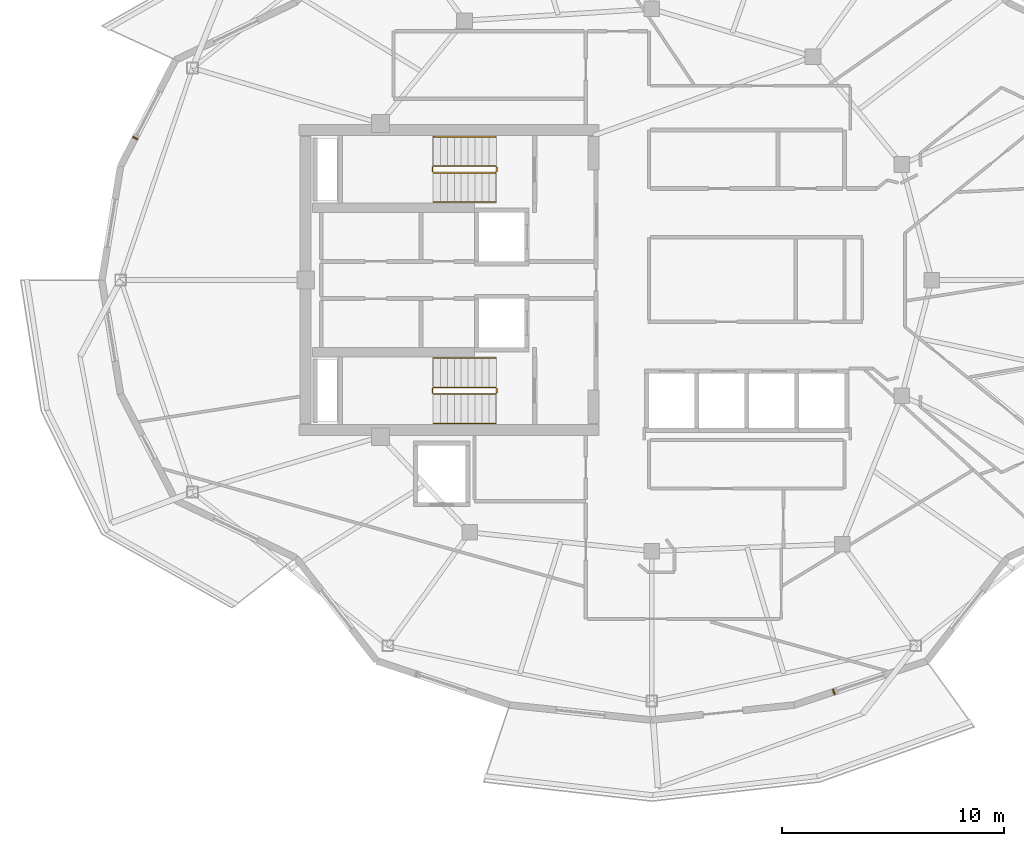
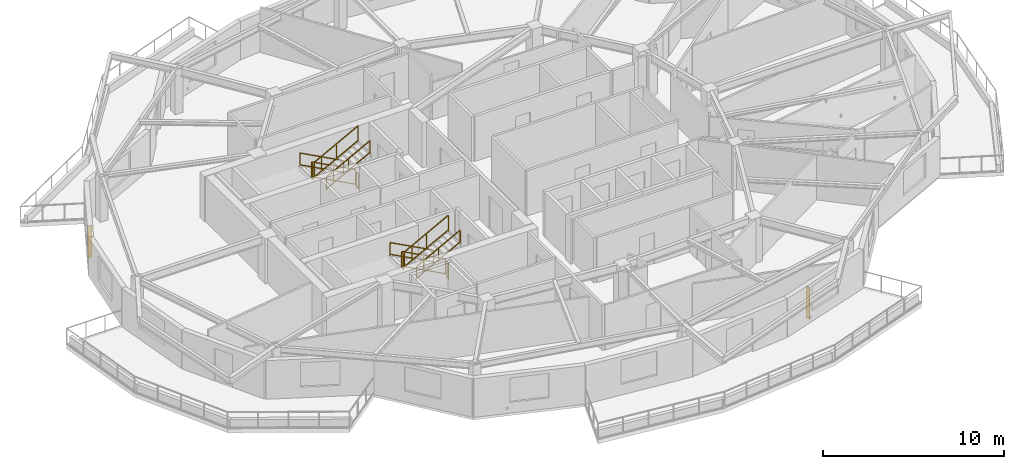
# One storey, part 12 of 14: 12 railings, 2 shading devices.
"""IFC4 building model written with IfcOpenShell, lengths in metres."""

from ifc_helpers import new_model, si_unit, direction, frame, origin, origin_2d, place, context, subcontext, project, spatial, rectangle, extrude, material, type_object, element, save


model = new_model("IFC4")

# Units and contexts
model_context = context("Model", 3, precision=1e-05, world=origin(), true_north=direction((0.0, 1.0)))
body_context = subcontext(model_context, "Body", "Model", "MODEL_VIEW")
ifc_project = project(units=[si_unit("LENGTHUNIT", "METRE"), si_unit("AREAUNIT", "SQUARE_METRE"), si_unit("VOLUMEUNIT", "CUBIC_METRE"), si_unit("PLANEANGLEUNIT", "RADIAN"), si_unit("MASSUNIT", "GRAM", prefix="KILO")], contexts=[model_context])

# Site, building, storey
site_placement = place(None, origin())
site = spatial("IfcSite", under=ifc_project, at=site_placement, CompositionType="ELEMENT")
building_placement = place(site_placement, origin())
building = spatial("IfcBuilding", under=site, at=building_placement, Name="Kolvaren Gate Tower and Convention Centre", CompositionType="ELEMENT")
storey_placement = place(building_placement, frame((0.0, 0.0, 222.800048828125)))
storey = spatial("IfcBuildingStorey", under=building, at=storey_placement, Name="L59", CompositionType="ELEMENT", Elevation=222.800048828125)

# Railings
ifc_material_1 = material(Name="Brushed Stainless Steel Grade 316L", Category="steel")
railing_type_1 = type_object("IfcRailingType", Name="ARCH-RL-GUARD-1150", PredefinedType="GUARDRAIL", material=ifc_material_1)
railing_1_placement = place(storey_placement, frame((23.10009765625, 32.1298828125, 0.1650390625)))
element("IfcRailing", 1, at=railing_1_placement, inside=storey, type_object=railing_type_1, Name="L59 ST-T1 stair guard 1", PredefinedType="GUARDRAIL", context=body_context, shape_type="SweptSolid", body=[
    extrude(rectangle(XDim=0.048095703125, YDim=0.048095703125, at=origin_2d()), frame((0.0, 0.0, 1.076171875), z_axis=(-0.882767428149, 0.0, 0.469810246588), x_axis=(0.0, -1.0, 0.0)), (0.0, 0.0, 1.0), 3.16064453125),
    extrude(rectangle(XDim=0.048095703125, YDim=0.048095703125, at=origin_2d()), frame((0.0, 0.0, 0.083984375), z_axis=(-0.882767428149, 0.0, 0.469810246588), x_axis=(0.0, -1.0, 0.0)), (0.0, 0.0, 1.0), 3.16064453125),
    extrude(rectangle(XDim=0.0419921875, YDim=0.0419921875, at=origin_2d()), origin(), (0.0, 0.0, 1.0), 1.050048828125),
    extrude(rectangle(XDim=0.0419921875, YDim=0.0419921875, at=origin_2d()), frame((-2.7900390625, 0.0, 1.48486328125)), (0.0, 0.0, 1.0), 1.050048828125),
    extrude(rectangle(XDim=0.0419921875, YDim=0.0419921875, at=origin_2d()), frame((-1.39501953125, 0.0, 0.742431640625)), (0.0, 0.0, 1.0), 1.050048828125),
])
railing_2_placement = place(storey_placement, frame((20.260009765625, 32.080078125, 1.64990234375)))
element("IfcRailing", 2, at=railing_2_placement, inside=storey, type_object=railing_type_1, Name="L59 ST-T1 stair guard 2", PredefinedType="GUARDRAIL", context=body_context, shape_type="SweptSolid", body=[
    extrude(rectangle(XDim=0.048095703125, YDim=0.048095703125, at=origin_2d()), frame((0.0, 0.0, 1.076171875), z_axis=(0.0, -1.0, 0.0), x_axis=(1.0, 0.0, 0.0)), (0.0, 0.0, 1.0), 0.2001953125),
    extrude(rectangle(XDim=0.048095703125, YDim=0.048095703125, at=origin_2d()), frame((0.0, 0.0, 0.083984375), z_axis=(0.0, -1.0, 0.0), x_axis=(1.0, 0.0, 0.0)), (0.0, 0.0, 1.0), 0.2001953125),
    extrude(rectangle(XDim=0.0419921875, YDim=0.0419921875, at=origin_2d()), origin(), (0.0, 0.0, 1.0), 1.050048828125),
    extrude(rectangle(XDim=0.0419921875, YDim=0.0419921875, at=origin_2d()), frame((0.0, -0.2001953125, 0.0)), (0.0, 0.0, 1.0), 1.050048828125),
])
railing_3_placement = place(storey_placement, frame((20.31005859375, 31.830078125, 1.81494140625)))
element("IfcRailing", 3, at=railing_3_placement, inside=storey, type_object=railing_type_1, Name="L59 ST-T1 stair guard 3", PredefinedType="GUARDRAIL", context=body_context, shape_type="SweptSolid", body=[
    extrude(rectangle(XDim=0.048095703125, YDim=0.048095703125, at=origin_2d()), frame((0.0, 0.0, 1.076171875), z_axis=(0.882735390775, 0.0, 0.469870439454), x_axis=(0.0, 1.0, 0.0)), (0.0, 0.0, 1.0), 3.16064453125),
    extrude(rectangle(XDim=0.048095703125, YDim=0.048095703125, at=origin_2d()), frame((0.0, 0.0, 0.083984375), z_axis=(0.882735390775, 0.0, 0.469870439454), x_axis=(0.0, 1.0, 0.0)), (0.0, 0.0, 1.0), 3.16064453125),
    extrude(rectangle(XDim=0.0419921875, YDim=0.0419921875, at=origin_2d()), origin(), (0.0, 0.0, 1.0), 1.050048828125),
    extrude(rectangle(XDim=0.0419921875, YDim=0.0419921875, at=origin_2d()), frame((2.7900390625, 0.0, 1.485107421875)), (0.0, 0.0, 1.0), 1.050048828125),
    extrude(rectangle(XDim=0.0419921875, YDim=0.0419921875, at=origin_2d()), frame((1.39501953125, 0.0, 0.74267578125)), (0.0, 0.0, 1.0), 1.050048828125),
])
railing_4_placement = place(storey_placement, frame((23.14990234375, 32.080078125, 0.0)))
element("IfcRailing", 4, at=railing_4_placement, inside=storey, type_object=railing_type_1, Name="L59 ST-T1 stair guard 4", PredefinedType="GUARDRAIL", context=body_context, shape_type="SweptSolid", body=[
    extrude(rectangle(XDim=0.048095703125, YDim=0.048095703125, at=origin_2d()), frame((0.0, 0.0, 1.076171875), z_axis=(0.0, -1.0, 0.0), x_axis=(1.0, 0.0, 0.0)), (0.0, 0.0, 1.0), 0.2001953125),
    extrude(rectangle(XDim=0.048095703125, YDim=0.048095703125, at=origin_2d()), frame((0.0, 0.0, 0.083984375), z_axis=(0.0, -1.0, 0.0), x_axis=(1.0, 0.0, 0.0)), (0.0, 0.0, 1.0), 0.2001953125),
    extrude(rectangle(XDim=0.0419921875, YDim=0.0419921875, at=origin_2d()), origin(), (0.0, 0.0, 1.0), 1.050048828125),
    extrude(rectangle(XDim=0.0419921875, YDim=0.0419921875, at=origin_2d()), frame((0.0, -0.2001953125, 0.0)), (0.0, 0.0, 1.0), 1.050048828125),
])
railing_5_placement = place(storey_placement, frame((23.10009765625, 22.169921875, 0.1650390625)))
element("IfcRailing", 5, at=railing_5_placement, inside=storey, type_object=railing_type_1, Name="L59 ST-T2 stair guard 1", PredefinedType="GUARDRAIL", context=body_context, shape_type="SweptSolid", body=[
    extrude(rectangle(XDim=0.048095703125, YDim=0.048095703125, at=origin_2d()), frame((0.0, 0.0, 1.076171875), z_axis=(-0.882767428149, 0.0, 0.469810246588), x_axis=(0.0, -1.0, 0.0)), (0.0, 0.0, 1.0), 3.16064453125),
    extrude(rectangle(XDim=0.048095703125, YDim=0.048095703125, at=origin_2d()), frame((0.0, 0.0, 0.083984375), z_axis=(-0.882767428149, 0.0, 0.469810246588), x_axis=(0.0, -1.0, 0.0)), (0.0, 0.0, 1.0), 3.16064453125),
    extrude(rectangle(XDim=0.0419921875, YDim=0.0419921875, at=origin_2d()), origin(), (0.0, 0.0, 1.0), 1.050048828125),
    extrude(rectangle(XDim=0.0419921875, YDim=0.0419921875, at=origin_2d()), frame((-2.7900390625, 0.0, 1.48486328125)), (0.0, 0.0, 1.0), 1.050048828125),
    extrude(rectangle(XDim=0.0419921875, YDim=0.0419921875, at=origin_2d()), frame((-1.39501953125, 0.0, 0.742431640625)), (0.0, 0.0, 1.0), 1.050048828125),
])
railing_6_placement = place(storey_placement, frame((20.260009765625, 22.1201171875, 1.64990234375)))
element("IfcRailing", 6, at=railing_6_placement, inside=storey, type_object=railing_type_1, Name="L59 ST-T2 stair guard 2", PredefinedType="GUARDRAIL", context=body_context, shape_type="SweptSolid", body=[
    extrude(rectangle(XDim=0.048095703125, YDim=0.048095703125, at=origin_2d()), frame((0.0, 0.0, 1.076171875), z_axis=(0.0, -1.0, 0.0), x_axis=(1.0, 0.0, 0.0)), (0.0, 0.0, 1.0), 0.2001953125),
    extrude(rectangle(XDim=0.048095703125, YDim=0.048095703125, at=origin_2d()), frame((0.0, 0.0, 0.083984375), z_axis=(0.0, -1.0, 0.0), x_axis=(1.0, 0.0, 0.0)), (0.0, 0.0, 1.0), 0.2001953125),
    extrude(rectangle(XDim=0.0419921875, YDim=0.0419921875, at=origin_2d()), origin(), (0.0, 0.0, 1.0), 1.050048828125),
    extrude(rectangle(XDim=0.0419921875, YDim=0.0419921875, at=origin_2d()), frame((0.0, -0.2001953125, 0.0)), (0.0, 0.0, 1.0), 1.050048828125),
])
railing_7_placement = place(storey_placement, frame((20.31005859375, 21.8701171875, 1.81494140625)))
element("IfcRailing", 7, at=railing_7_placement, inside=storey, type_object=railing_type_1, Name="L59 ST-T2 stair guard 3", PredefinedType="GUARDRAIL", context=body_context, shape_type="SweptSolid", body=[
    extrude(rectangle(XDim=0.048095703125, YDim=0.048095703125, at=origin_2d()), frame((0.0, 0.0, 1.076171875), z_axis=(0.882735390775, 0.0, 0.469870439454), x_axis=(0.0, 1.0, 0.0)), (0.0, 0.0, 1.0), 3.16064453125),
    extrude(rectangle(XDim=0.048095703125, YDim=0.048095703125, at=origin_2d()), frame((0.0, 0.0, 0.083984375), z_axis=(0.882735390775, 0.0, 0.469870439454), x_axis=(0.0, 1.0, 0.0)), (0.0, 0.0, 1.0), 3.16064453125),
    extrude(rectangle(XDim=0.0419921875, YDim=0.0419921875, at=origin_2d()), origin(), (0.0, 0.0, 1.0), 1.050048828125),
    extrude(rectangle(XDim=0.0419921875, YDim=0.0419921875, at=origin_2d()), frame((2.7900390625, 0.0, 1.485107421875)), (0.0, 0.0, 1.0), 1.050048828125),
    extrude(rectangle(XDim=0.0419921875, YDim=0.0419921875, at=origin_2d()), frame((1.39501953125, 0.0, 0.74267578125)), (0.0, 0.0, 1.0), 1.050048828125),
])
railing_8_placement = place(storey_placement, frame((23.14990234375, 22.1201171875, 0.0)))
element("IfcRailing", 8, at=railing_8_placement, inside=storey, type_object=railing_type_1, Name="L59 ST-T2 stair guard 4", PredefinedType="GUARDRAIL", context=body_context, shape_type="SweptSolid", body=[
    extrude(rectangle(XDim=0.048095703125, YDim=0.048095703125, at=origin_2d()), frame((0.0, 0.0, 1.076171875), z_axis=(0.0, -1.0, 0.0), x_axis=(1.0, 0.0, 0.0)), (0.0, 0.0, 1.0), 0.2001953125),
    extrude(rectangle(XDim=0.048095703125, YDim=0.048095703125, at=origin_2d()), frame((0.0, 0.0, 0.083984375), z_axis=(0.0, -1.0, 0.0), x_axis=(1.0, 0.0, 0.0)), (0.0, 0.0, 1.0), 0.2001953125),
    extrude(rectangle(XDim=0.0419921875, YDim=0.0419921875, at=origin_2d()), origin(), (0.0, 0.0, 1.0), 1.050048828125),
    extrude(rectangle(XDim=0.0419921875, YDim=0.0419921875, at=origin_2d()), frame((0.0, -0.2001953125, 0.0)), (0.0, 0.0, 1.0), 1.050048828125),
])
railing_type_2 = type_object("IfcRailingType", Name="ARCH-RL-HANDRAIL-920", PredefinedType="HANDRAIL", material=ifc_material_1)
railing_9_placement = place(storey_placement, frame((23.10009765625, 33.449951171875, 0.1650390625)))
element("IfcRailing", 9, at=railing_9_placement, inside=storey, type_object=railing_type_2, Name="L59 ST-T1 stair handrail 1", PredefinedType="HANDRAIL", context=body_context, shape_type="SweptSolid", body=[
    extrude(rectangle(XDim=0.048095703125, YDim=0.048095703125, at=origin_2d()), frame((0.0, 0.0, 0.8759765625), z_axis=(-0.882767428149, 0.0, 0.469810246588), x_axis=(0.0, -1.0, 0.0)), (0.0, 0.0, 1.0), 3.16064453125),
    extrude(rectangle(XDim=0.048095703125, YDim=0.048095703125, at=origin_2d()), frame((0.0, 0.0, 0.083984375), z_axis=(-0.882767428149, 0.0, 0.469810246588), x_axis=(0.0, -1.0, 0.0)), (0.0, 0.0, 1.0), 3.16064453125),
    extrude(rectangle(XDim=0.0419921875, YDim=0.0419921875, at=origin_2d()), origin(), (0.0, 0.0, 1.0), 0.849853515625),
    extrude(rectangle(XDim=0.0419921875, YDim=0.0419921875, at=origin_2d()), frame((-2.7900390625, 0.0, 1.48486328125)), (0.0, 0.0, 1.0), 0.849853515625),
    extrude(rectangle(XDim=0.0419921875, YDim=0.0419921875, at=origin_2d()), frame((-1.39501953125, 0.0, 0.742431640625)), (0.0, 0.0, 1.0), 0.849853515625),
])
railing_10_placement = place(storey_placement, frame((20.31005859375, 30.510009765625, 1.81494140625)))
element("IfcRailing", 10, at=railing_10_placement, inside=storey, type_object=railing_type_2, Name="L59 ST-T1 stair handrail 2", PredefinedType="HANDRAIL", context=body_context, shape_type="SweptSolid", body=[
    extrude(rectangle(XDim=0.048095703125, YDim=0.048095703125, at=origin_2d()), frame((0.0, 0.0, 0.8759765625), z_axis=(0.882735390775, 0.0, 0.469870439454), x_axis=(0.0, 1.0, 0.0)), (0.0, 0.0, 1.0), 3.16064453125),
    extrude(rectangle(XDim=0.048095703125, YDim=0.048095703125, at=origin_2d()), frame((0.0, 0.0, 0.083984375), z_axis=(0.882735390775, 0.0, 0.469870439454), x_axis=(0.0, 1.0, 0.0)), (0.0, 0.0, 1.0), 3.16064453125),
    extrude(rectangle(XDim=0.0419921875, YDim=0.0419921875, at=origin_2d()), origin(), (0.0, 0.0, 1.0), 0.849853515625),
    extrude(rectangle(XDim=0.0419921875, YDim=0.0419921875, at=origin_2d()), frame((2.7900390625, 0.0, 1.485107421875)), (0.0, 0.0, 1.0), 0.849853515625),
    extrude(rectangle(XDim=0.0419921875, YDim=0.0419921875, at=origin_2d()), frame((1.39501953125, 0.0, 0.74267578125)), (0.0, 0.0, 1.0), 0.849853515625),
])
railing_11_placement = place(storey_placement, frame((23.10009765625, 23.489990234375, 0.1650390625)))
element("IfcRailing", 11, at=railing_11_placement, inside=storey, type_object=railing_type_2, Name="L59 ST-T2 stair handrail 1", PredefinedType="HANDRAIL", context=body_context, shape_type="SweptSolid", body=[
    extrude(rectangle(XDim=0.048095703125, YDim=0.048095703125, at=origin_2d()), frame((0.0, 0.0, 0.8759765625), z_axis=(-0.882767428149, 0.0, 0.469810246588), x_axis=(0.0, -1.0, 0.0)), (0.0, 0.0, 1.0), 3.16064453125),
    extrude(rectangle(XDim=0.048095703125, YDim=0.048095703125, at=origin_2d()), frame((0.0, 0.0, 0.083984375), z_axis=(-0.882767428149, 0.0, 0.469810246588), x_axis=(0.0, -1.0, 0.0)), (0.0, 0.0, 1.0), 3.16064453125),
    extrude(rectangle(XDim=0.0419921875, YDim=0.0419921875, at=origin_2d()), origin(), (0.0, 0.0, 1.0), 0.849853515625),
    extrude(rectangle(XDim=0.0419921875, YDim=0.0419921875, at=origin_2d()), frame((-2.7900390625, 0.0, 1.48486328125)), (0.0, 0.0, 1.0), 0.849853515625),
    extrude(rectangle(XDim=0.0419921875, YDim=0.0419921875, at=origin_2d()), frame((-1.39501953125, 0.0, 0.742431640625)), (0.0, 0.0, 1.0), 0.849853515625),
])
railing_12_placement = place(storey_placement, frame((20.31005859375, 20.550048828125, 1.81494140625)))
element("IfcRailing", 12, at=railing_12_placement, inside=storey, type_object=railing_type_2, Name="L59 ST-T2 stair handrail 2", PredefinedType="HANDRAIL", context=body_context, shape_type="SweptSolid", body=[
    extrude(rectangle(XDim=0.048095703125, YDim=0.048095703125, at=origin_2d()), frame((0.0, 0.0, 0.8759765625), z_axis=(0.882735390775, 0.0, 0.469870439454), x_axis=(0.0, 1.0, 0.0)), (0.0, 0.0, 1.0), 3.16064453125),
    extrude(rectangle(XDim=0.048095703125, YDim=0.048095703125, at=origin_2d()), frame((0.0, 0.0, 0.083984375), z_axis=(0.882735390775, 0.0, 0.469870439454), x_axis=(0.0, 1.0, 0.0)), (0.0, 0.0, 1.0), 3.16064453125),
    extrude(rectangle(XDim=0.0419921875, YDim=0.0419921875, at=origin_2d()), origin(), (0.0, 0.0, 1.0), 0.849853515625),
    extrude(rectangle(XDim=0.0419921875, YDim=0.0419921875, at=origin_2d()), frame((2.7900390625, 0.0, 1.485107421875)), (0.0, 0.0, 1.0), 0.849853515625),
    extrude(rectangle(XDim=0.0419921875, YDim=0.0419921875, at=origin_2d()), frame((1.39501953125, 0.0, 0.74267578125)), (0.0, 0.0, 1.0), 0.849853515625),
])

# Shading devices
ifc_material_2 = material(Name="Kiln-Fired Bogota Terracotta Ceramic Louvre Profile", Category="masonry")
shading_device_type = type_object("IfcShadingDeviceType", Name="ARCH-SHD-FIN-180", PredefinedType="JALOUSIE", material=ifc_material_2)
for number, where, z_axis, x_axis, name in (
    (13, (6.87548828125, 33.3935546875, 0.219970703125), (0.0, 0.0, 1.0), (0.459799959359, 0.888022520758, 0.0), "Ceramic Vertical Brise-Soleil Fin FN-L59-10"),
    (14, (38.319091796875, 8.46728515625, 0.219970703125), (0.0, 0.0, 1.0), (0.949241728595, 0.314547517385, 0.0), "Ceramic Vertical Brise-Soleil Fin FN-L59-19"),
):
    element("IfcShadingDevice", number, at=place(storey_placement, frame(where, z_axis=z_axis, x_axis=x_axis)), inside=storey, type_object=shading_device_type, Name=name, PredefinedType="JALOUSIE", context=body_context, shape_type="SweptSolid", body=[
        extrude(rectangle(XDim=0.06005859375, YDim=0.239990234375, at=origin_2d()), origin(), (0.0, 0.0, 1.0), 2.14990234375),
    ])

save(model, "model.ifc")
